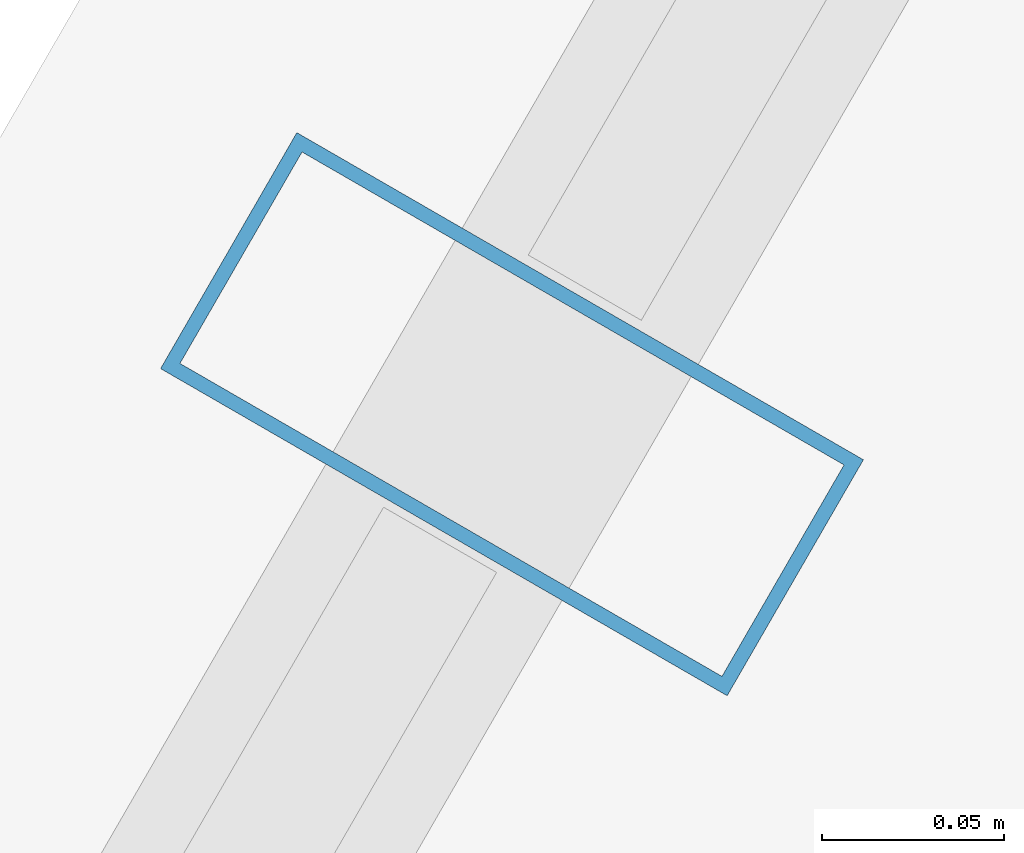
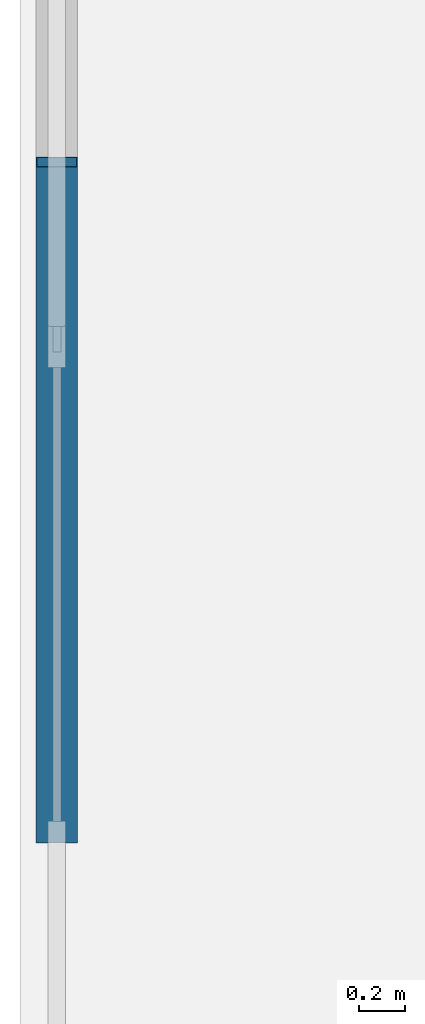
# One storey, part 13 of 33: 1 member, 1 element without a shape of its own.
"""IFC4 building model written with IfcOpenShell, lengths in metres."""

from ifc_helpers import new_model, si_unit, direction, frame, origin, origin_2d, place, context, subcontext, project, spatial, hollow_rectangle, extrude, material, layer, layer_set, material_profile, profile_set, type_object, element, aggregate, save


model = new_model("IFC4")

# Units and contexts
model_context = context("Model", 3, precision=1e-05, world=origin(), true_north=direction((0.0, 1.0)))
body_context = subcontext(model_context, "Body", "Model", "MODEL_VIEW")
ifc_project = project(units=[si_unit("LENGTHUNIT", "METRE"), si_unit("AREAUNIT", "SQUARE_METRE"), si_unit("VOLUMEUNIT", "CUBIC_METRE"), si_unit("PLANEANGLEUNIT", "RADIAN"), si_unit("MASSUNIT", "GRAM", prefix="KILO")], contexts=[model_context])

# Site, building, storey
site_placement = place(None, origin())
site = spatial("IfcSite", under=ifc_project, at=site_placement, CompositionType="ELEMENT")
building_placement = place(site_placement, origin())
building = spatial("IfcBuilding", under=site, at=building_placement, Name="Ndaravel Arena Tower", CompositionType="ELEMENT")
storey_placement = place(building_placement, frame((0.0, 0.0, 168.800048828125)))
storey = spatial("IfcBuildingStorey", under=building, at=storey_placement, Name="L40", CompositionType="ELEMENT", Elevation=168.800048828125)

# Curtain wall, member
ifc_material_1 = material(Name="Aluminium", Category="aluminium")
ifc_layer = layer(ifc_material_1, 0.179931640625)
ifc_layer_set = layer_set([ifc_layer], Name="Aluminium")
curtain_wall_type = type_object("IfcCurtainWallType", Name="CW-SYS-03", PredefinedType="NOTDEFINED", material=ifc_layer_set)
curtain_wall_placement = place(storey_placement, origin())
curtain_wall = element("IfcCurtainWall", 1, at=curtain_wall_placement, inside=storey, type_object=curtain_wall_type, Name="L40 Faceted Crystal Curtain Wall CW-L40-E05", PredefinedType="NOTDEFINED")
ifc_material_2 = material(Name="Aluminium", Category="aluminium")
ifc_material_profile = material_profile(ifc_material_2, hollow_rectangle(XDim=0.074951171875, YDim=0.179931640625, WallThickness=0.00390625, at=origin_2d()), Name="CW MULLION 75x180x4")
ifc_profile_set = profile_set([ifc_material_profile], Name="Aluminium")
member_type = type_object("IfcMemberType", Name="MEM-CW-MUL180", PredefinedType="MULLION", material=ifc_profile_set)
member_placement = place(storey_placement, frame((29.798583984375, 34.256591796875, 0.0), z_axis=(0.0, 0.0, 1.0), x_axis=(-0.5, -0.866025403784, 0.0)))
member = element("IfcMember", 2, at=member_placement, type_object=member_type, Name="CW-L40-E05 Mullion 03", PredefinedType="MULLION", context=body_context, shape_type="SweptSolid", body=[
    extrude(hollow_rectangle(XDim=0.074951171875, YDim=0.179931640625, WallThickness=0.00390625, at=origin_2d()), origin(), (0.0, 0.0, 1.0), 3.579833984375),
])
aggregate(curtain_wall, [member])

save(model, "model.ifc")
